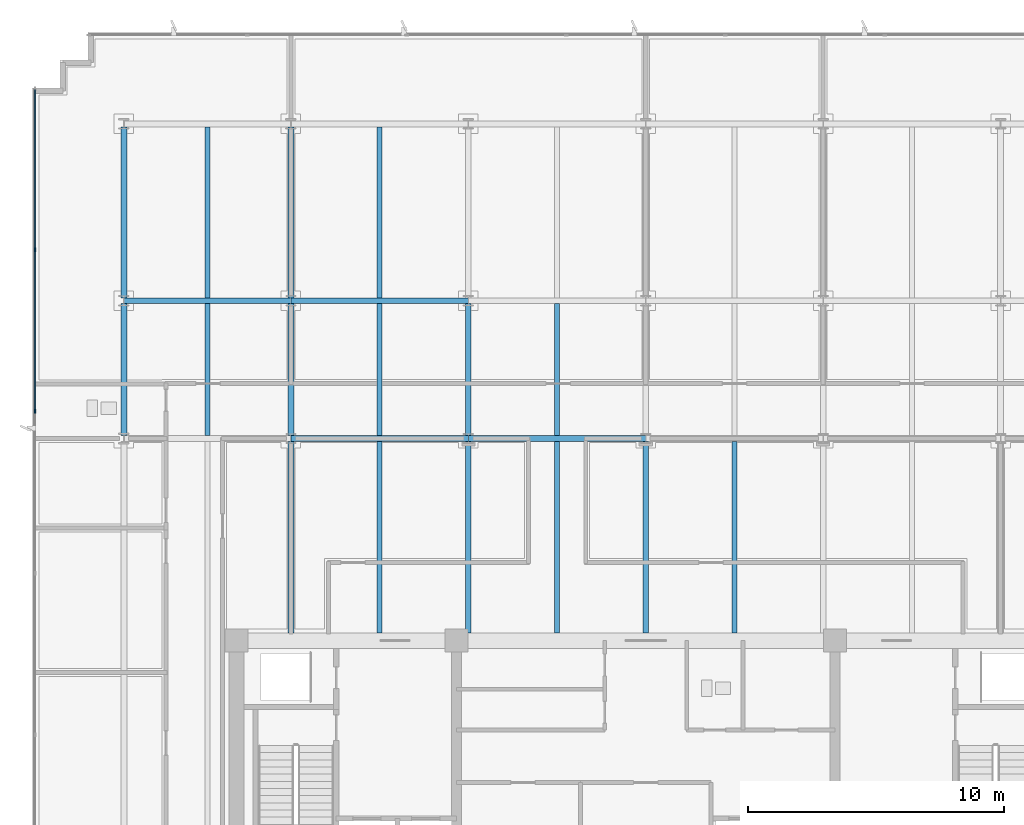
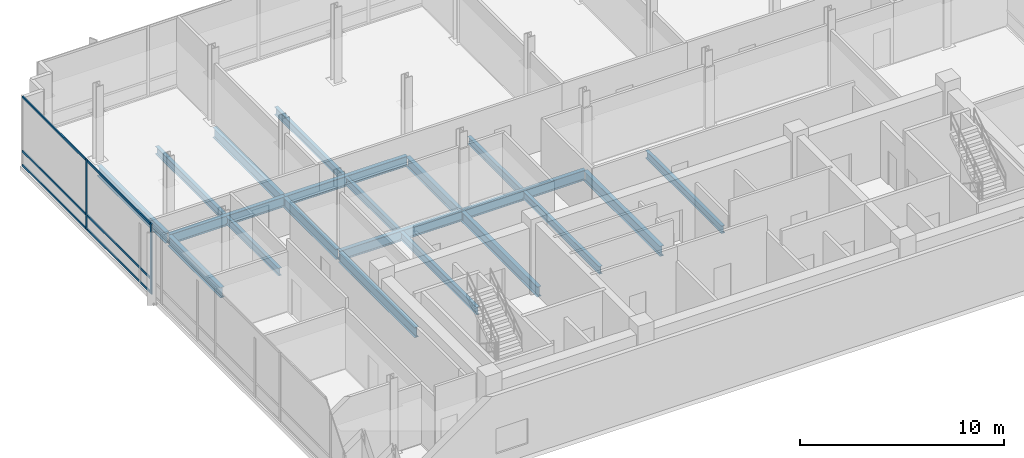
# One storey, part 4 of 17: 20 beams, 8 members, 1 element without a shape of its own.
"""IFC4 building model written with IfcOpenShell, lengths in metres."""

from ifc_helpers import new_model, si_unit, direction, frame, origin, origin_2d, place, context, subcontext, project, spatial, rectangle, i_section, extrude, material, material_profile, profile_set, type_object, element, aggregate, save


model = new_model("IFC4")

# Units and contexts
model_context = context("Model", 3, precision=1e-05, world=origin(), true_north=direction((0.0, 1.0)))
body_context = subcontext(model_context, "Body", "Model", "MODEL_VIEW")
ifc_project = project(units=[si_unit("LENGTHUNIT", "METRE"), si_unit("AREAUNIT", "SQUARE_METRE"), si_unit("VOLUMEUNIT", "CUBIC_METRE"), si_unit("PLANEANGLEUNIT", "RADIAN"), si_unit("MASSUNIT", "GRAM", prefix="KILO")], contexts=[model_context])

# Site, building, storey
site_placement = place(None, origin())
site = spatial("IfcSite", under=ifc_project, at=site_placement, CompositionType="ELEMENT")
building_placement = place(site_placement, origin())
building = spatial("IfcBuilding", under=site, at=building_placement, Name="Solmavex Isthmus Hotel", CompositionType="ELEMENT")
storey_placement = place(building_placement, frame((0.0, 0.0, 286.800048828125)))
storey = spatial("IfcBuildingStorey", under=building, at=storey_placement, Name="L78", CompositionType="ELEMENT", Elevation=286.800048828125)

# Beams
ifc_material_1 = material(Name="Steel ASTM A992 Grade 50", Category="steel")
ifc_material_profile_1 = material_profile(ifc_material_1, i_section(OverallWidth=0.1904296875, OverallDepth=0.456787109375, WebThickness=0.009033203125, FlangeThickness=0.014404296875, FilletRadius=0.0126953125, at=origin_2d()), Name="W18X50")
ifc_profile_set_1 = profile_set([ifc_material_profile_1], Name="Steel ASTM A992 Grade 50")
beam_type_1 = type_object("IfcBeamType", Name="BM-BJ-W18X50", PredefinedType="JOIST", material=ifc_profile_set_1)
beam_1_placement = place(storey_placement, frame((-17.135986328125, 5.513916015625, -0.488525390625), z_axis=(0.0, 1.0, 0.0), x_axis=(-1.0, 0.0, 0.0)))
element("IfcBeam", 1, at=beam_1_placement, inside=storey, type_object=beam_type_1, Name="Secondary Floor Joist L78-J02", PredefinedType="JOIST", context=body_context, shape_type="SweptSolid", body=[
    extrude(i_section(OverallWidth=0.1904296875, OverallDepth=0.456787109375, WebThickness=0.009033203125, FlangeThickness=0.014404296875, FilletRadius=0.0126953125, at=origin_2d()), origin(), (0.0, 0.0, 1.0), 5.16015625),
])
beam_2_placement = place(storey_placement, frame((-17.135986328125, 10.90185546875, -0.488525390625), z_axis=(0.0, 1.0, 0.0), x_axis=(-1.0, 0.0, 0.0)))
element("IfcBeam", 2, at=beam_2_placement, inside=storey, type_object=beam_type_1, Name="Secondary Floor Joist L78-J03", PredefinedType="JOIST", context=body_context, shape_type="SweptSolid", body=[
    extrude(i_section(OverallWidth=0.1904296875, OverallDepth=0.456787109375, WebThickness=0.009033203125, FlangeThickness=0.014404296875, FilletRadius=0.0126953125, at=origin_2d()), origin(), (0.0, 0.0, 1.0), 6.682861328125),
])
beam_3_placement = place(storey_placement, frame((-10.404052734375, -2.199951171875, -0.488525390625), z_axis=(0.0, 1.0, 0.0), x_axis=(-1.0, 0.0, 0.0)))
element("IfcBeam", 3, at=beam_3_placement, inside=storey, type_object=beam_type_1, Name="Secondary Floor Joist L78-J04", PredefinedType="JOIST", context=body_context, shape_type="SweptSolid", body=[
    extrude(i_section(OverallWidth=0.1904296875, OverallDepth=0.456787109375, WebThickness=0.009033203125, FlangeThickness=0.014404296875, FilletRadius=0.0126953125, at=origin_2d()), origin(), (0.0, 0.0, 1.0), 7.486083984375),
])
beam_4_placement = place(storey_placement, frame((-10.404052734375, 5.513916015625, -0.488525390625), z_axis=(0.0, 1.0, 0.0), x_axis=(-1.0, 0.0, 0.0)))
element("IfcBeam", 4, at=beam_4_placement, inside=storey, type_object=beam_type_1, Name="Secondary Floor Joist L78-J05", PredefinedType="JOIST", context=body_context, shape_type="SweptSolid", body=[
    extrude(i_section(OverallWidth=0.1904296875, OverallDepth=0.456787109375, WebThickness=0.009033203125, FlangeThickness=0.014404296875, FilletRadius=0.0126953125, at=origin_2d()), origin(), (0.0, 0.0, 1.0), 5.16015625),
])
beam_5_placement = place(storey_placement, frame((-10.404052734375, 10.90185546875, -0.488525390625), z_axis=(0.0, 1.0, 0.0), x_axis=(-1.0, 0.0, 0.0)))
element("IfcBeam", 5, at=beam_5_placement, inside=storey, type_object=beam_type_1, Name="Secondary Floor Joist L78-J06", PredefinedType="JOIST", context=body_context, shape_type="SweptSolid", body=[
    extrude(i_section(OverallWidth=0.1904296875, OverallDepth=0.456787109375, WebThickness=0.009033203125, FlangeThickness=0.014404296875, FilletRadius=0.0126953125, at=origin_2d()), origin(), (0.0, 0.0, 1.0), 6.682861328125),
])
beam_6_placement = place(storey_placement, frame((-3.468017578125, -2.199951171875, -0.488525390625), z_axis=(0.0, 1.0, 0.0), x_axis=(-1.0, 0.0, 0.0)))
element("IfcBeam", 6, at=beam_6_placement, inside=storey, type_object=beam_type_1, Name="Secondary Floor Joist L78-J07", PredefinedType="JOIST", context=body_context, shape_type="SweptSolid", body=[
    extrude(i_section(OverallWidth=0.1904296875, OverallDepth=0.456787109375, WebThickness=0.009033203125, FlangeThickness=0.014404296875, FilletRadius=0.0126953125, at=origin_2d()), origin(), (0.0, 0.0, 1.0), 7.486083984375),
])
beam_7_placement = place(storey_placement, frame((-3.468017578125, 5.513916015625, -0.488525390625), z_axis=(0.0, 1.0, 0.0), x_axis=(-1.0, 0.0, 0.0)))
element("IfcBeam", 7, at=beam_7_placement, inside=storey, type_object=beam_type_1, Name="Secondary Floor Joist L78-J08", PredefinedType="JOIST", context=body_context, shape_type="SweptSolid", body=[
    extrude(i_section(OverallWidth=0.1904296875, OverallDepth=0.456787109375, WebThickness=0.009033203125, FlangeThickness=0.014404296875, FilletRadius=0.0126953125, at=origin_2d()), origin(), (0.0, 0.0, 1.0), 5.16015625),
])
beam_8_placement = place(storey_placement, frame((3.468017578125, -2.199951171875, -0.488525390625), z_axis=(0.0, 1.0, 0.0), x_axis=(-1.0, 0.0, 0.0)))
element("IfcBeam", 8, at=beam_8_placement, inside=storey, type_object=beam_type_1, Name="Secondary Floor Joist L78-J10", PredefinedType="JOIST", context=body_context, shape_type="SweptSolid", body=[
    extrude(i_section(OverallWidth=0.1904296875, OverallDepth=0.456787109375, WebThickness=0.009033203125, FlangeThickness=0.014404296875, FilletRadius=0.0126953125, at=origin_2d()), origin(), (0.0, 0.0, 1.0), 7.486083984375),
])
ifc_material_profile_2 = material_profile(ifc_material_1, i_section(OverallWidth=0.227783203125, OverallDepth=0.602783203125, WebThickness=0.010498046875, FlangeThickness=0.014892578125, FilletRadius=0.01513671875, at=origin_2d()), Name="W24X68")
ifc_profile_set_2 = profile_set([ifc_material_profile_2], Name="Steel ASTM A992 Grade 50")
beam_type_2 = type_object("IfcBeamType", Name="BM-BM-W24X68", PredefinedType="BEAM", material=ifc_profile_set_2)
for number, where, z_axis, x_axis, name in (
    (9, (-13.8720703125, 5.39990234375, -0.561279296875), (1.0, 0.0, 0.0), (0.0, 1.0, 0.0), "Floor Girder L78-UG04"),
    (10, (-6.93603515625, 5.39990234375, -0.561279296875), (1.0, 0.0, 0.0), (0.0, 1.0, 0.0), "Floor Girder L78-UG05"),
):
    element("IfcBeam", number, at=place(storey_placement, frame(where, z_axis=z_axis, x_axis=x_axis)), inside=storey, type_object=beam_type_2, Name=name, PredefinedType="BEAM", context=body_context, shape_type="SweptSolid", body=[
        extrude(i_section(OverallWidth=0.227783203125, OverallDepth=0.602783203125, WebThickness=0.010498046875, FlangeThickness=0.014892578125, FilletRadius=0.01513671875, at=origin_2d()), origin(), (0.0, 0.0, 1.0), 6.93603515625),
    ])
beam_9_placement = place(storey_placement, frame((-20.39990234375, 10.7880859375, -0.561279296875), z_axis=(1.0, 0.0, 0.0), x_axis=(0.0, 1.0, 0.0)))
element("IfcBeam", 11, at=beam_9_placement, inside=storey, type_object=beam_type_2, Name="Floor Girder L78-UG09", PredefinedType="BEAM", context=body_context, shape_type="SweptSolid", body=[
    extrude(i_section(OverallWidth=0.227783203125, OverallDepth=0.602783203125, WebThickness=0.010498046875, FlangeThickness=0.014892578125, FilletRadius=0.01513671875, at=origin_2d()), origin(), (0.0, 0.0, 1.0), 6.52783203125),
])
beam_10_placement = place(storey_placement, frame((-13.8720703125, 10.7880859375, -0.561279296875), z_axis=(1.0, 0.0, 0.0), x_axis=(0.0, 1.0, 0.0)))
element("IfcBeam", 12, at=beam_10_placement, inside=storey, type_object=beam_type_2, Name="Floor Girder L78-UG10", PredefinedType="BEAM", context=body_context, shape_type="SweptSolid", body=[
    extrude(i_section(OverallWidth=0.227783203125, OverallDepth=0.602783203125, WebThickness=0.010498046875, FlangeThickness=0.014892578125, FilletRadius=0.01513671875, at=origin_2d()), origin(), (0.0, 0.0, 1.0), 6.93603515625),
])
beam_11_placement = place(storey_placement, frame((-13.8720703125, -2.199951171875, -0.561279296875), z_axis=(0.0, 1.0, 0.0), x_axis=(-1.0, 0.0, 0.0)))
element("IfcBeam", 13, at=beam_11_placement, inside=storey, type_object=beam_type_2, Name="Floor Beam L78-VG24", PredefinedType="BEAM", context=body_context, shape_type="SweptSolid", body=[
    extrude(i_section(OverallWidth=0.227783203125, OverallDepth=0.602783203125, WebThickness=0.010498046875, FlangeThickness=0.014892578125, FilletRadius=0.01513671875, at=origin_2d()), origin(), (0.0, 0.0, 1.0), 7.486083984375),
])
beam_12_placement = place(storey_placement, frame((-13.8720703125, 5.513916015625, -0.561279296875), z_axis=(0.0, 1.0, 0.0), x_axis=(-1.0, 0.0, 0.0)))
element("IfcBeam", 14, at=beam_12_placement, inside=storey, type_object=beam_type_2, Name="Floor Beam L78-VG25", PredefinedType="BEAM", context=body_context, shape_type="SweptSolid", body=[
    extrude(i_section(OverallWidth=0.227783203125, OverallDepth=0.602783203125, WebThickness=0.010498046875, FlangeThickness=0.014892578125, FilletRadius=0.01513671875, at=origin_2d()), origin(), (0.0, 0.0, 1.0), 5.16015625),
])
beam_13_placement = place(storey_placement, frame((-13.8720703125, 10.90185546875, -0.561279296875), z_axis=(0.0, 1.0, 0.0), x_axis=(-1.0, 0.0, 0.0)))
element("IfcBeam", 15, at=beam_13_placement, inside=storey, type_object=beam_type_2, Name="Floor Beam L78-VG26", PredefinedType="BEAM", context=body_context, shape_type="SweptSolid", body=[
    extrude(i_section(OverallWidth=0.227783203125, OverallDepth=0.602783203125, WebThickness=0.010498046875, FlangeThickness=0.014892578125, FilletRadius=0.01513671875, at=origin_2d()), origin(), (0.0, 0.0, 1.0), 6.682861328125),
])
beam_14_placement = place(storey_placement, frame((-6.93603515625, -2.199951171875, -0.561279296875), z_axis=(0.0, 1.0, 0.0), x_axis=(-1.0, 0.0, 0.0)))
element("IfcBeam", 16, at=beam_14_placement, inside=storey, type_object=beam_type_2, Name="Floor Beam L78-VG27", PredefinedType="BEAM", context=body_context, shape_type="SweptSolid", body=[
    extrude(i_section(OverallWidth=0.227783203125, OverallDepth=0.602783203125, WebThickness=0.010498046875, FlangeThickness=0.014892578125, FilletRadius=0.01513671875, at=origin_2d()), origin(), (0.0, 0.0, 1.0), 7.486083984375),
])
beam_15_placement = place(storey_placement, frame((-6.93603515625, 5.513916015625, -0.561279296875), z_axis=(0.0, 1.0, 0.0), x_axis=(-1.0, 0.0, 0.0)))
element("IfcBeam", 17, at=beam_15_placement, inside=storey, type_object=beam_type_2, Name="Floor Beam L78-VG28", PredefinedType="BEAM", context=body_context, shape_type="SweptSolid", body=[
    extrude(i_section(OverallWidth=0.227783203125, OverallDepth=0.602783203125, WebThickness=0.010498046875, FlangeThickness=0.014892578125, FilletRadius=0.01513671875, at=origin_2d()), origin(), (0.0, 0.0, 1.0), 5.16015625),
])
beam_16_placement = place(storey_placement, frame((0.0, -2.199951171875, -0.561279296875), z_axis=(0.0, 1.0, 0.0), x_axis=(-1.0, 0.0, 0.0)))
element("IfcBeam", 18, at=beam_16_placement, inside=storey, type_object=beam_type_2, Name="Floor Beam L78-VG30", PredefinedType="BEAM", context=body_context, shape_type="SweptSolid", body=[
    extrude(i_section(OverallWidth=0.227783203125, OverallDepth=0.602783203125, WebThickness=0.010498046875, FlangeThickness=0.014892578125, FilletRadius=0.01513671875, at=origin_2d()), origin(), (0.0, 0.0, 1.0), 7.486083984375),
])
ifc_material_profile_3 = material_profile(ifc_material_1, i_section(OverallWidth=0.230224609375, OverallDepth=0.617431640625, WebThickness=0.01318359375, FlangeThickness=0.022216796875, FilletRadius=0.01513671875, at=origin_2d()), Name="W24X94")
ifc_profile_set_3 = profile_set([ifc_material_profile_3], Name="Steel ASTM A992 Grade 50")
beam_type_3 = type_object("IfcBeamType", Name="BM-SP-W24X94", PredefinedType="SPANDREL", material=ifc_profile_set_3)
beam_17_placement = place(storey_placement, frame((-20.39990234375, 5.513916015625, -0.56884765625), z_axis=(0.0, 1.0, 0.0), x_axis=(-1.0, 0.0, 0.0)))
element("IfcBeam", 19, at=beam_17_placement, inside=storey, type_object=beam_type_3, Name="Floor Beam L78-VG22", PredefinedType="SPANDREL", context=body_context, shape_type="SweptSolid", body=[
    extrude(i_section(OverallWidth=0.230224609375, OverallDepth=0.617431640625, WebThickness=0.01318359375, FlangeThickness=0.022216796875, FilletRadius=0.01513671875, at=origin_2d()), origin(), (0.0, 0.0, 1.0), 5.16015625),
])
beam_18_placement = place(storey_placement, frame((-20.39990234375, 10.90185546875, -0.56884765625), z_axis=(0.0, 1.0, 0.0), x_axis=(-1.0, 0.0, 0.0)))
element("IfcBeam", 20, at=beam_18_placement, inside=storey, type_object=beam_type_3, Name="Floor Beam L78-VG23", PredefinedType="SPANDREL", context=body_context, shape_type="SweptSolid", body=[
    extrude(i_section(OverallWidth=0.230224609375, OverallDepth=0.617431640625, WebThickness=0.01318359375, FlangeThickness=0.022216796875, FilletRadius=0.01513671875, at=origin_2d()), origin(), (0.0, 0.0, 1.0), 6.682861328125),
])

# Curtain wall, members
ifc_material_2 = material(Name="Aluminium alloy 6063-T6", Category="aluminium")
curtain_wall_type = type_object("IfcCurtainWallType", Name="CW-SYS-05", PredefinedType="NOTDEFINED", material=ifc_material_2)
curtain_wall_placement = place(storey_placement, origin())
curtain_wall = element("IfcCurtainWall", 21, at=curtain_wall_placement, inside=storey, type_object=curtain_wall_type, Name="Stick Curtain Wall CWL-L78-W1", PredefinedType="NOTDEFINED")
ifc_material_profile_4 = material_profile(ifc_material_2, rectangle(XDim=0.06494140625, YDim=0.159912109375, at=origin_2d()), Name="CWM-65X160")
ifc_profile_set_4 = profile_set([ifc_material_profile_4], Name="Aluminium alloy 6063-T6")
member_type_1 = type_object("IfcMemberType", Name="CW-SYS-05-MUL", PredefinedType="MULLION", material=ifc_profile_set_4)
member_1_placement = place(storey_placement, frame((-23.8798828125, 6.4599609375, 0.0), z_axis=(0.0, 0.0, 1.0), x_axis=(-1.0, 0.0, 0.0)))
member_1 = element("IfcMember", 22, at=member_1_placement, type_object=member_type_1, Name="CW-05 mullion 4", PredefinedType="MULLION", context=body_context, shape_type="SweptSolid", body=[
    extrude(rectangle(XDim=0.06494140625, YDim=0.159912109375, at=origin_2d()), origin(), (0.0, 0.0, 1.0), 4.199951171875),
])
member_2_placement = place(storey_placement, frame((-23.8798828125, 12.780029296875, 0.0), z_axis=(0.0, 0.0, 1.0), x_axis=(-1.0, 0.0, 0.0)))
member_2 = element("IfcMember", 23, at=member_2_placement, type_object=member_type_1, Name="CW-05 mullion 5", PredefinedType="MULLION", context=body_context, shape_type="SweptSolid", body=[
    extrude(rectangle(XDim=0.06494140625, YDim=0.159912109375, at=origin_2d()), origin(), (0.0, 0.0, 1.0), 4.199951171875),
])
ifc_material_profile_5 = material_profile(ifc_material_2, rectangle(XDim=0.06494140625, YDim=0.125, at=origin_2d()), Name="CWT-65X125")
ifc_profile_set_5 = profile_set([ifc_material_profile_5], Name="Aluminium alloy 6063-T6")
member_type_2 = type_object("IfcMemberType", Name="CW-SYS-05-TRN", PredefinedType="USERDEFINED", material=ifc_profile_set_5)
member_3_placement = place(storey_placement, frame((-23.8798828125, 6.492431640625, 0.0625), z_axis=(0.0, 1.0, 0.0), x_axis=(-1.0, 0.0, 0.0)))
member_3 = element("IfcMember", 24, at=member_3_placement, type_object=member_type_2, Name="CW-05 transom 4.1", ObjectType="TRANSOM", PredefinedType="USERDEFINED", context=body_context, shape_type="SweptSolid", body=[
    extrude(rectangle(XDim=0.06494140625, YDim=0.125, at=origin_2d()), origin(), (0.0, 0.0, 1.0), 6.255126953125),
])
member_4_placement = place(storey_placement, frame((-23.8798828125, 6.492431640625, 0.89990234375), z_axis=(0.0, 1.0, 0.0), x_axis=(-1.0, 0.0, 0.0)))
member_4 = element("IfcMember", 25, at=member_4_placement, type_object=member_type_2, Name="CW-05 transom 4.2", ObjectType="TRANSOM", PredefinedType="USERDEFINED", context=body_context, shape_type="SweptSolid", body=[
    extrude(rectangle(XDim=0.06494140625, YDim=0.125, at=origin_2d()), origin(), (0.0, 0.0, 1.0), 6.255126953125),
])
member_5_placement = place(storey_placement, frame((-23.8798828125, 6.492431640625, 4.137451171875), z_axis=(0.0, 1.0, 0.0), x_axis=(-1.0, 0.0, 0.0)))
member_5 = element("IfcMember", 26, at=member_5_placement, type_object=member_type_2, Name="CW-05 transom 4.3", ObjectType="TRANSOM", PredefinedType="USERDEFINED", context=body_context, shape_type="SweptSolid", body=[
    extrude(rectangle(XDim=0.06494140625, YDim=0.125, at=origin_2d()), origin(), (0.0, 0.0, 1.0), 6.255126953125),
])
member_6_placement = place(storey_placement, frame((-23.8798828125, 12.8125, 0.0625), z_axis=(0.0, 1.0, 0.0), x_axis=(-1.0, 0.0, 0.0)))
member_6 = element("IfcMember", 27, at=member_6_placement, type_object=member_type_2, Name="CW-05 transom 5.1", ObjectType="TRANSOM", PredefinedType="USERDEFINED", context=body_context, shape_type="SweptSolid", body=[
    extrude(rectangle(XDim=0.06494140625, YDim=0.125, at=origin_2d()), origin(), (0.0, 0.0, 1.0), 6.222412109375),
])
member_7_placement = place(storey_placement, frame((-23.8798828125, 12.8125, 0.89990234375), z_axis=(0.0, 1.0, 0.0), x_axis=(-1.0, 0.0, 0.0)))
member_7 = element("IfcMember", 28, at=member_7_placement, type_object=member_type_2, Name="CW-05 transom 5.2", ObjectType="TRANSOM", PredefinedType="USERDEFINED", context=body_context, shape_type="SweptSolid", body=[
    extrude(rectangle(XDim=0.06494140625, YDim=0.125, at=origin_2d()), origin(), (0.0, 0.0, 1.0), 6.222412109375),
])
member_8_placement = place(storey_placement, frame((-23.8798828125, 12.8125, 4.137451171875), z_axis=(0.0, 1.0, 0.0), x_axis=(-1.0, 0.0, 0.0)))
member_8 = element("IfcMember", 29, at=member_8_placement, type_object=member_type_2, Name="CW-05 transom 5.3", ObjectType="TRANSOM", PredefinedType="USERDEFINED", context=body_context, shape_type="SweptSolid", body=[
    extrude(rectangle(XDim=0.06494140625, YDim=0.125, at=origin_2d()), origin(), (0.0, 0.0, 1.0), 6.222412109375),
])
aggregate(curtain_wall, [member_1, member_2, member_3, member_4, member_5, member_6, member_7, member_8])

save(model, "model.ifc")
